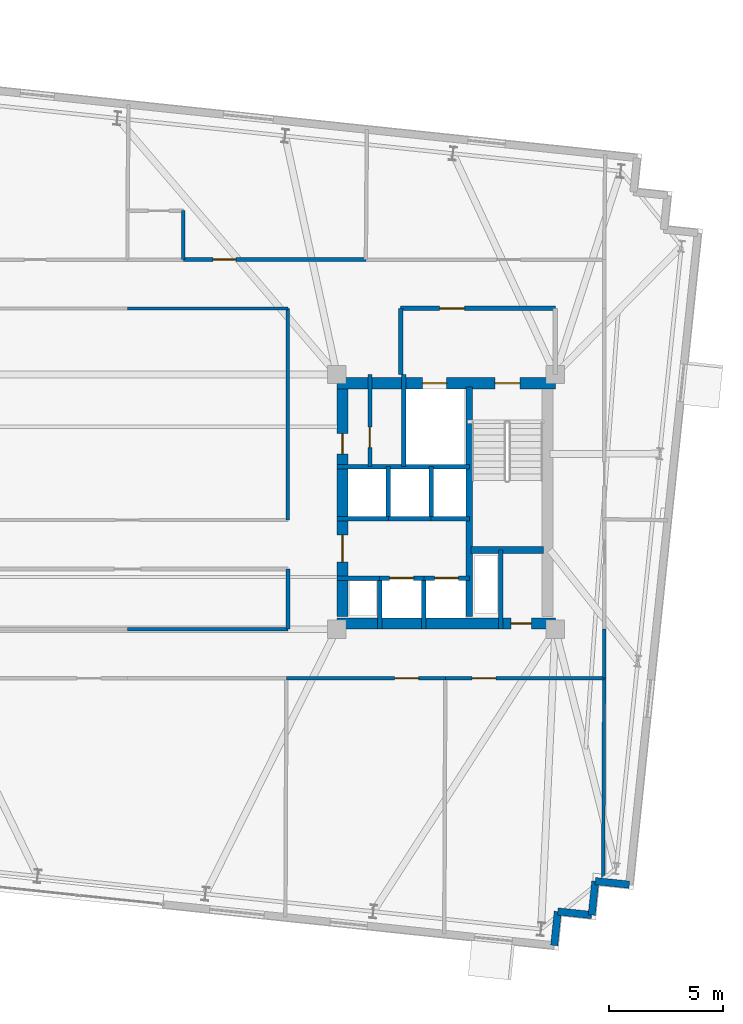
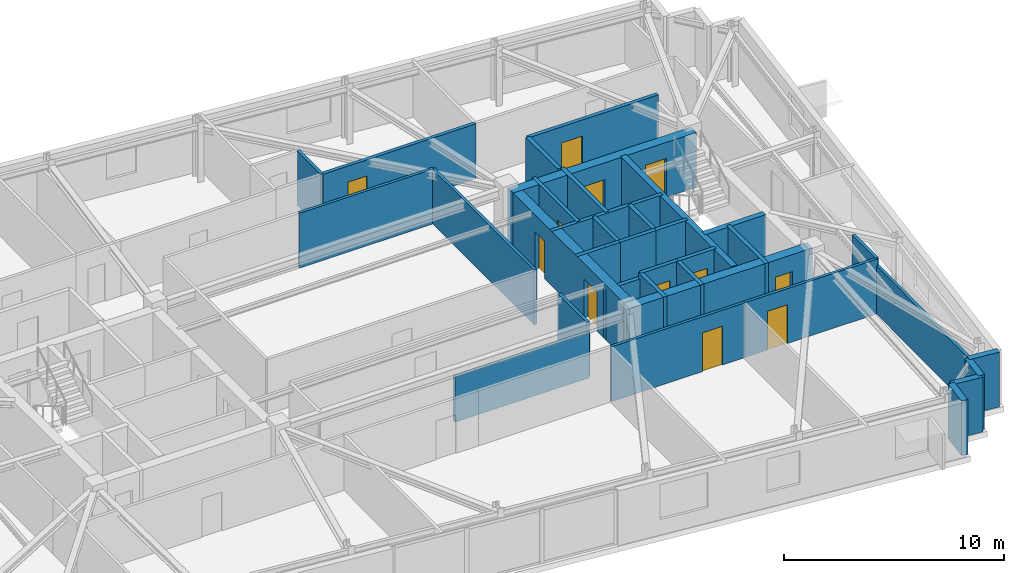
# One storey, part 9 of 13: 35 walls, 12 doors, 12 openings.
"""IFC4 building model written with IfcOpenShell, lengths in metres."""

from ifc_helpers import new_model, si_unit, direction, frame, frame_2d, origin, place, context, subcontext, project, spatial, rectangle, extrude, material, layer, layer_set, type_object, element, fill, save


model = new_model("IFC4")

# Units and contexts
model_context = context("Model", 3, precision=1e-05, world=origin(), true_north=direction((0.0, 1.0)))
body_context = subcontext(model_context, "Body", "Model", "MODEL_VIEW")
ifc_project = project(units=[si_unit("LENGTHUNIT", "METRE"), si_unit("AREAUNIT", "SQUARE_METRE"), si_unit("VOLUMEUNIT", "CUBIC_METRE"), si_unit("PLANEANGLEUNIT", "RADIAN"), si_unit("MASSUNIT", "GRAM", prefix="KILO")], contexts=[model_context])

# Site, building, storey
site_placement = place(None, origin())
site = spatial("IfcSite", under=ifc_project, at=site_placement, CompositionType="ELEMENT")
building_placement = place(site_placement, origin())
building = spatial("IfcBuilding", under=site, at=building_placement, Name="Qobustan Lattice House", CompositionType="ELEMENT")
storey_placement = place(building_placement, frame((0.0, 0.0, 199.75)))
storey = spatial("IfcBuildingStorey", under=building, at=storey_placement, Name="L56", CompositionType="ELEMENT", Elevation=199.75)

# Wall, openings, doors
ifc_material_1 = material(Name="Concrete C50/60", Category="concrete")
ifc_layer_1 = layer(ifc_material_1, 0.5)
ifc_layer_set_1 = layer_set([ifc_layer_1], Name="Concrete C50/60")
wall_type_1 = type_object("IfcWallType", Name="WAL-CORE-500", PredefinedType="SHEAR", material=ifc_layer_set_1)
wall_1_placement = place(storey_placement, frame((9.199951171875, 5.2099609375, 0.0), z_axis=(0.0, 0.0, 1.0), x_axis=(1.0, 0.0, 0.0)))
wall_1 = element("IfcWall", 1, at=wall_1_placement, inside=storey, type_object=wall_type_1, Name="L56 split-core shear wall CE-N", PredefinedType="SHEAR", context=body_context, shape_type="SweptSolid", body=[
    extrude(rectangle(XDim=9.60009765625, YDim=0.5, at=frame_2d((4.800048828125, 0.0))), origin(), (0.0, 0.0, 1.0), 3.0400390625),
])
opening_1_placement = place(wall_1_placement, frame((6.949951171875, 0.0, 0.0)))
opening_1 = element("IfcOpeningElement", 2, at=opening_1_placement, cuts=wall_1, Name="Opening SD-01", PredefinedType="OPENING", context=body_context, shape_type="SweptSolid", body=[
    extrude(rectangle(XDim=1.10009765625, YDim=2.14990234375, at=frame_2d((0.550048828125, 1.074951171875))), frame((0.0, 0.260009765625, 0.0), z_axis=(0.0, -1.0, 0.0), x_axis=(1.0, 0.0, 0.0)), (0.0, 0.0, 1.0), 0.52001953125),
])
opening_2_placement = place(wall_1_placement, frame((3.77490234375, 0.0, 0.0)))
opening_2 = element("IfcOpeningElement", 3, at=opening_2_placement, cuts=wall_1, Name="Opening LD-01", PredefinedType="OPENING", context=body_context, shape_type="SweptSolid", body=[
    extrude(rectangle(XDim=1.050048828125, YDim=2.10009765625, at=frame_2d((0.52490234375, 1.050048828125))), frame((0.0, 0.260009765625, 0.0), z_axis=(0.0, -1.0, 0.0), x_axis=(1.0, 0.0, 0.0)), (0.0, 0.0, 1.0), 0.52001953125),
])
ifc_material_2 = material(Name="Persian walnut timber and steel frame door", Category="steel")
door_type_1 = type_object("IfcDoorType", Name="DOR-LIFT-LD-1050x2100", OperationType="NOTDEFINED", PredefinedType="DOOR", material=ifc_material_2)
door_1_placement = place(opening_2_placement, origin())
door_1 = element("IfcDoor", 4, at=door_1_placement, inside=storey, type_object=door_type_1, Name="L56 firefighting lift FF-E landing door", OperationType="DOUBLE_DOOR_SLIDING", OverallHeight=2.10009765625, OverallWidth=1.050048828125, PredefinedType="DOOR", context=body_context, shape_type="SweptSolid", body=[
    extrude(rectangle(XDim=1.050048828125, YDim=2.10009765625, at=frame_2d((0.52490234375, 1.050048828125))), frame((0.0, 0.02490234375, 0.0), z_axis=(0.0, -1.0, 0.0), x_axis=(1.0, 0.0, 0.0)), (0.0, 0.0, 1.0), 0.050048828125),
])
fill(opening_2, door_1)
ifc_material_3 = material(Name="Persian walnut timber and steel frame door", Category="steel")
door_type_2 = type_object("IfcDoorType", Name="DOR-STAIR-FD-1100x2150", OperationType="NOTDEFINED", PredefinedType="DOOR", material=ifc_material_3)
door_2_placement = place(opening_1_placement, origin())
door_2 = element("IfcDoor", 5, at=door_2_placement, inside=storey, type_object=door_type_2, Name="L56 exit stair ST-E1 fire door", OperationType="SINGLE_SWING_LEFT", OverallHeight=2.14990234375, OverallWidth=1.10009765625, PredefinedType="DOOR", context=body_context, shape_type="SweptSolid", body=[
    extrude(rectangle(XDim=1.10009765625, YDim=2.14990234375, at=frame_2d((0.550048828125, 1.074951171875))), frame((0.0, 0.02490234375, 0.0), z_axis=(0.0, -1.0, 0.0), x_axis=(1.0, 0.0, 0.0)), (0.0, 0.0, 1.0), 0.050048828125),
])
fill(opening_1, door_2)

# Wall, opening, door
wall_2_placement = place(storey_placement, frame((9.199951171875, -5.35009765625, 0.0), z_axis=(0.0, 0.0, 1.0), x_axis=(1.0, 0.0, 0.0)))
wall_2 = element("IfcWall", 6, at=wall_2_placement, inside=storey, type_object=wall_type_1, Name="L56 split-core shear wall CE-S", PredefinedType="SHEAR", context=body_context, shape_type="SweptSolid", body=[
    extrude(rectangle(XDim=9.60009765625, YDim=0.5, at=frame_2d((4.800048828125, 0.0))), origin(), (0.0, 0.0, 1.0), 3.0400390625),
])
opening_3_placement = place(wall_2_placement, frame((7.64990234375, 0.0, 0.0)))
opening_3 = element("IfcOpeningElement", 7, at=opening_3_placement, cuts=wall_2, Name="Opening RD-01", PredefinedType="OPENING", context=body_context, shape_type="SweptSolid", body=[
    extrude(rectangle(XDim=0.89990234375, YDim=2.10009765625, at=frame_2d((0.449951171875, 1.050048828125))), frame((0.0, 0.260009765625, 0.0), z_axis=(0.0, -1.0, 0.0), x_axis=(1.0, 0.0, 0.0)), (0.0, 0.0, 1.0), 0.52001953125),
])
ifc_material_4 = material(Name="Persian walnut timber and steel frame door", Category="steel")
door_type_3 = type_object("IfcDoorType", Name="DOR-RISER-FD-900x2100", OperationType="NOTDEFINED", PredefinedType="DOOR", material=ifc_material_4)
door_3_placement = place(opening_3_placement, origin())
door_3 = element("IfcDoor", 8, at=door_3_placement, inside=storey, type_object=door_type_3, Name="L56 core service riser access door E", OperationType="SINGLE_SWING_LEFT", OverallHeight=2.10009765625, OverallWidth=0.89990234375, PredefinedType="DOOR", context=body_context, shape_type="SweptSolid", body=[
    extrude(rectangle(XDim=0.89990234375, YDim=2.10009765625, at=frame_2d((0.449951171875, 1.050048828125))), frame((0.0, 0.02490234375, 0.0), z_axis=(0.0, -1.0, 0.0), x_axis=(1.0, 0.0, 0.0)), (0.0, 0.0, 1.0), 0.050048828125),
])
fill(opening_3, door_3)

# Wall, openings, doors
wall_3_placement = place(storey_placement, frame((9.449951171875, -5.050048828125, 0.0), z_axis=(0.0, 0.0, 1.0), x_axis=(0.0, 1.0, 0.0)))
wall_3 = element("IfcWall", 9, at=wall_3_placement, inside=storey, type_object=wall_type_1, Name="L56 split-core shear wall CE-W", PredefinedType="SHEAR", context=body_context, shape_type="SweptSolid", body=[
    extrude(rectangle(XDim=10.10009765625, YDim=0.5, at=frame_2d((5.050048828125, 0.0))), origin(), (0.0, 0.0, 1.0), 3.0400390625),
])
opening_4_placement = place(wall_3_placement, frame((7.14990234375, 0.0, 0.0)))
opening_4 = element("IfcOpeningElement", 10, at=opening_4_placement, cuts=wall_3, Name="Opening RD-01", PredefinedType="OPENING", context=body_context, shape_type="SweptSolid", body=[
    extrude(rectangle(XDim=0.89990234375, YDim=2.10009765625, at=frame_2d((0.449951171875, 1.050048828125))), frame((0.0, 0.260009765625, 0.0), z_axis=(0.0, -1.0, 0.0), x_axis=(1.0, 0.0, 0.0)), (0.0, 0.0, 1.0), 0.52001953125),
])
opening_5_placement = place(wall_3_placement, frame((2.39990234375, 0.0, 0.0)))
opening_5 = element("IfcOpeningElement", 11, at=opening_5_placement, cuts=wall_3, Name="Opening FD-01", PredefinedType="OPENING", context=body_context, shape_type="SweptSolid", body=[
    extrude(rectangle(XDim=1.199951171875, YDim=2.14990234375, at=frame_2d((0.60009765625, 1.074951171875))), frame((0.0, 0.260009765625, 0.0), z_axis=(0.0, -1.0, 0.0), x_axis=(1.0, 0.0, 0.0)), (0.0, 0.0, 1.0), 0.52001953125),
])
ifc_material_5 = material(Name="Persian walnut timber and steel frame door", Category="steel")
door_type_4 = type_object("IfcDoorType", Name="DOR-LOBBY-FD-1200x2150", OperationType="NOTDEFINED", PredefinedType="DOOR", material=ifc_material_5)
door_4_placement = place(opening_5_placement, origin())
door_4 = element("IfcDoor", 12, at=door_4_placement, inside=storey, type_object=door_type_4, Name="L56 East passenger lift lobby fire door", OperationType="SINGLE_SWING_RIGHT", OverallHeight=2.14990234375, OverallWidth=1.199951171875, PredefinedType="DOOR", context=body_context, shape_type="SweptSolid", body=[
    extrude(rectangle(XDim=1.199951171875, YDim=2.14990234375, at=frame_2d((0.60009765625, 1.074951171875))), frame((0.0, 0.02490234375, 0.0), z_axis=(0.0, -1.0, 0.0), x_axis=(1.0, 0.0, 0.0)), (0.0, 0.0, 1.0), 0.050048828125),
])
fill(opening_5, door_4)
door_5_placement = place(opening_4_placement, origin())
door_5 = element("IfcDoor", 13, at=door_5_placement, inside=storey, type_object=door_type_3, Name="L56 Print and mail closet fire door", OperationType="SINGLE_SWING_LEFT", OverallHeight=2.10009765625, OverallWidth=0.89990234375, PredefinedType="DOOR", context=body_context, shape_type="SweptSolid", body=[
    extrude(rectangle(XDim=0.89990234375, YDim=2.10009765625, at=frame_2d((0.449951171875, 1.050048828125))), frame((0.0, 0.02490234375, 0.0), z_axis=(0.0, -1.0, 0.0), x_axis=(1.0, 0.0, 0.0)), (0.0, 0.0, 1.0), 0.050048828125),
])
fill(opening_4, door_5)

# Walls
ifc_material_6 = material(Name="Concrete C50/60", Category="concrete")
ifc_layer_2 = layer(ifc_material_6, 0.280029296875)
ifc_layer_set_2 = layer_set([ifc_layer_2], Name="Concrete C50/60")
wall_type_2 = type_object("IfcWallType", Name="WAL-CORE-SPINE-280", PredefinedType="SHEAR", material=ifc_layer_set_2)
wall_4_placement = place(storey_placement, frame((15.02001953125, -5.050048828125, 0.0), z_axis=(0.0, 0.0, 1.0), x_axis=(0.0, 1.0, 0.0)))
element("IfcWall", 14, at=wall_4_placement, inside=storey, type_object=wall_type_2, Name="L56 split-core shear wall CE-M", PredefinedType="SHEAR", context=body_context, shape_type="SweptSolid", body=[
    extrude(rectangle(XDim=10.10009765625, YDim=0.300048828125, at=frame_2d((5.050048828125, 0.0))), origin(), (0.0, 0.0, 1.0), 3.0400390625),
])
wall_5_placement = place(storey_placement, frame((15.10009765625, -2.110107421875, 0.0), z_axis=(0.0, 0.0, 1.0), x_axis=(1.0, 0.0, 0.0)))
element("IfcWall", 15, at=wall_5_placement, inside=storey, type_object=wall_type_2, Name="L56 split-core shear wall CE-ST", PredefinedType="SHEAR", context=body_context, shape_type="SweptSolid", body=[
    extrude(rectangle(XDim=3.179931640625, YDim=0.300048828125, at=frame_2d((1.58984375, 0.0))), origin(), (0.0, 0.0, 1.0), 3.0400390625),
])
ifc_material_7 = material(Name="Precast concrete C40/50", Category="concrete")
ifc_layer_3 = layer(ifc_material_7, 0.320068359375)
ifc_layer_set_3 = layer_set([ifc_layer_3], Name="Precast concrete C40/50")
wall_type_3 = type_object("IfcWallType", Name="WAL-EXT-STONE-320", PredefinedType="SOLIDWALL", material=ifc_layer_set_3)
wall_6_placement = place(storey_placement, frame((22.052978515625, -16.828369140625, 0.0), z_axis=(0.0, 0.0, 1.0), x_axis=(-0.994526834051, 0.104481464157, 0.0)))
element("IfcWall", 16, at=wall_6_placement, inside=storey, type_object=wall_type_3, Name="L56 exterior limestone-clad wall 16", PredefinedType="SOLIDWALL", context=body_context, shape_type="SweptSolid", body=[
    extrude(rectangle(XDim=1.500244140625, YDim=0.320068359375, at=frame_2d((0.75, 0.0))), origin(), (0.0, 0.0, 1.0), 3.0400390625),
])
for number, where, z_axis, x_axis, name in (
    (17, (20.56103515625, -16.671630859375, 0.0), (0.0, 0.0, 1.0), (-0.104498377516, -0.994525057048, 0.0), "L56 exterior limestone-clad wall 17"),
    (18, (20.404296875, -18.163330078125, 0.0), (0.0, 0.0, 1.0), (-0.994525057048, 0.104498377516, 0.0), "L56 exterior limestone-clad wall 18"),
    (19, (18.91259765625, -18.006591796875, 0.0), (0.0, 0.0, 1.0), (-0.104498377516, -0.994525057048, 0.0), "L56 exterior limestone-clad wall 19"),
):
    element("IfcWall", number, at=place(storey_placement, frame(where, z_axis=z_axis, x_axis=x_axis)), inside=storey, type_object=wall_type_3, Name=name, PredefinedType="SOLIDWALL", context=body_context, shape_type="SweptSolid", body=[
        extrude(rectangle(XDim=1.5, YDim=0.320068359375, at=frame_2d((0.75, 0.0))), origin(), (0.0, 0.0, 1.0), 3.0400390625),
    ])

# Wall, opening, door
ifc_material_8 = material(Name="Gypsum fireboard acoustic partition", Category="gypsum")
ifc_layer_4 = layer(ifc_material_8, 0.179931640625)
ifc_layer_set_4 = layer_set([ifc_layer_4], Name="Gypsum fireboard acoustic partition")
wall_type_4 = type_object("IfcWallType", Name="WAL-FIRE-180", PredefinedType="PARTITIONING", material=ifc_layer_set_4)
wall_7_placement = place(storey_placement, frame((10.64990234375, 1.550048828125, 0.0), z_axis=(0.0, 0.0, 1.0), x_axis=(0.0, 1.0, 0.0)))
wall_7 = element("IfcWall", 20, at=wall_7_placement, inside=storey, type_object=wall_type_4, Name="L56 interior partition 18", PredefinedType="PARTITIONING", context=body_context, shape_type="SweptSolid", body=[
    extrude(rectangle(XDim=4.050048828125, YDim=0.179931640625, at=frame_2d((2.02490234375, 0.0))), origin(), (0.0, 0.0, 1.0), 3.0400390625),
])
opening_6_placement = place(wall_7_placement, frame((0.828857421875, 0.0, 0.0)))
opening_6 = element("IfcOpeningElement", 21, at=opening_6_placement, cuts=wall_7, Name="Opening RD-01", PredefinedType="OPENING", context=body_context, shape_type="SweptSolid", body=[
    extrude(rectangle(XDim=0.89990234375, YDim=2.10009765625, at=frame_2d((0.449951171875, 1.050048828125))), frame((0.0, 0.099853515625, 0.0), z_axis=(0.0, -1.0, 0.0), x_axis=(1.0, 0.0, 0.0)), (0.0, 0.0, 1.0), 0.199951171875),
])
door_6_placement = place(opening_6_placement, origin())
door_6 = element("IfcDoor", 22, at=door_6_placement, inside=storey, type_object=door_type_3, Name="L56 Print and mail closet to Core utility store door", OperationType="SINGLE_SWING_RIGHT", OverallHeight=2.10009765625, OverallWidth=0.89990234375, PredefinedType="DOOR", context=body_context, shape_type="SweptSolid", body=[
    extrude(rectangle(XDim=0.89990234375, YDim=2.10009765625, at=frame_2d((0.449951171875, 1.050048828125))), frame((0.0, 0.02490234375, 0.0), z_axis=(0.0, -1.0, 0.0), x_axis=(1.0, 0.0, 0.0)), (0.0, 0.0, 1.0), 0.050048828125),
])
fill(opening_6, door_6)

wall_8_placement = place(storey_placement, frame((2.449951171875, 10.64990234375, 0.0), z_axis=(0.0, 0.0, 1.0), x_axis=(1.0, 0.0, 0.0)))
wall_8 = element("IfcWall", 23, at=wall_8_placement, inside=storey, type_object=wall_type_4, Name="L56 interior partition 38", PredefinedType="PARTITIONING", context=body_context, shape_type="SweptSolid", body=[
    extrude(rectangle(XDim=8.025146484375, YDim=0.179931640625, at=frame_2d((4.0126953125, 0.0))), origin(), (0.0, 0.0, 1.0), 3.0400390625),
])
opening_7_placement = place(wall_8_placement, frame((1.31298828125, 0.0, 0.0)))
opening_7 = element("IfcOpeningElement", 24, at=opening_7_placement, cuts=wall_8, Name="Opening FD-02", PredefinedType="OPENING", context=body_context, shape_type="SweptSolid", body=[
    extrude(rectangle(XDim=1.0, YDim=2.14990234375, at=frame_2d((0.5, 1.074951171875))), frame((0.0, 0.099853515625, 0.0), z_axis=(0.0, -1.0, 0.0), x_axis=(1.0, 0.0, 0.0)), (0.0, 0.0, 1.0), 0.199951171875),
])
ifc_material_9 = material(Name="Persian walnut timber and steel frame door", Category="steel")
door_type_5 = type_object("IfcDoorType", Name="DOR-UNIT-FD-1000x2150", OperationType="NOTDEFINED", PredefinedType="DOOR", material=ifc_material_9)
door_7_placement = place(opening_7_placement, origin())
door_7 = element("IfcDoor", 25, at=door_7_placement, inside=storey, type_object=door_type_5, Name="L56 North-east floor corridor to Kitchenette and studio apartment L56-N3 door", OperationType="SINGLE_SWING_LEFT", OverallHeight=2.14990234375, OverallWidth=1.0, PredefinedType="DOOR", context=body_context, shape_type="SweptSolid", body=[
    extrude(rectangle(XDim=1.0, YDim=2.14990234375, at=frame_2d((0.5, 1.074951171875))), frame((0.0, 0.02490234375, 0.0), z_axis=(0.0, -1.0, 0.0), x_axis=(1.0, 0.0, 0.0)), (0.0, 0.0, 1.0), 0.050048828125),
])
fill(opening_7, door_7)

# Walls
ifc_material_10 = material(Name="Acoustic twin-stud gypsum partition", Category="gypsum")
ifc_layer_5 = layer(ifc_material_10, 0.14990234375)
ifc_layer_set_5 = layer_set([ifc_layer_5], Name="Acoustic twin-stud gypsum partition")
wall_type_5 = type_object("IfcWallType", Name="WAL-PART-150", PredefinedType="PARTITIONING", material=ifc_layer_set_5)
wall_9_placement = place(storey_placement, frame((7.050048828125, 8.5, 0.0), z_axis=(0.0, 0.0, 1.0), x_axis=(-1.0, 0.0, 0.0)))
element("IfcWall", 26, at=wall_9_placement, inside=storey, type_object=wall_type_5, Name="L56 interior partition 41", PredefinedType="PARTITIONING", context=body_context, shape_type="SweptSolid", body=[
    extrude(rectangle(XDim=7.050048828125, YDim=0.14990234375, at=frame_2d((3.52490234375, 0.0))), origin(), (0.0, 0.0, 1.0), 3.0400390625),
])
wall_10_placement = place(storey_placement, frame((20.949951171875, -5.60009765625, 0.0), z_axis=(0.0, 0.0, 1.0), x_axis=(0.0, -1.0, 0.0)))
element("IfcWall", 27, at=wall_10_placement, inside=storey, type_object=wall_type_5, Name="L56 interior partition 46", PredefinedType="PARTITIONING", context=body_context, shape_type="SweptSolid", body=[
    extrude(rectangle(XDim=2.14990234375, YDim=0.14990234375, at=frame_2d((1.074951171875, 0.0))), origin(), (0.0, 0.0, 1.0), 3.0400390625),
])

# Wall, opening, door
wall_11_placement = place(storey_placement, frame((13.966552734375, -7.75, 0.0), z_axis=(0.0, 0.0, 1.0), x_axis=(-1.0, 0.0, 0.0)))
wall_11 = element("IfcWall", 28, at=wall_11_placement, inside=storey, type_object=wall_type_5, Name="L56 interior partition 48", PredefinedType="PARTITIONING", context=body_context, shape_type="SweptSolid", body=[
    extrude(rectangle(XDim=6.983642578125, YDim=0.14990234375, at=frame_2d((3.49169921875, 0.0))), origin(), (0.0, 0.0, 1.0), 3.0400390625),
])
opening_8_placement = place(wall_11_placement, frame((1.1767578125, 0.0, 0.0)))
opening_8 = element("IfcOpeningElement", 29, at=opening_8_placement, cuts=wall_11, Name="Opening ID-02", PredefinedType="OPENING", context=body_context, shape_type="SweptSolid", body=[
    extrude(rectangle(XDim=1.050048828125, YDim=2.14990234375, at=frame_2d((0.52490234375, 1.074951171875))), frame((0.0, 0.0849609375, 0.0), z_axis=(0.0, -1.0, 0.0), x_axis=(1.0, 0.0, 0.0)), (0.0, 0.0, 1.0), 0.169921875),
])
ifc_material_11 = material(Name="Persian walnut timber and steel frame door", Category="steel")
door_type_6 = type_object("IfcDoorType", Name="DOR-STUDY-1050x2150", OperationType="NOTDEFINED", PredefinedType="DOOR", material=ifc_material_11)
door_8_placement = place(opening_8_placement, origin())
door_8 = element("IfcDoor", 30, at=door_8_placement, inside=storey, type_object=door_type_6, Name="L56 South-east floor corridor to Group study room door", OperationType="SINGLE_SWING_LEFT", OverallHeight=2.14990234375, OverallWidth=1.050048828125, PredefinedType="DOOR", context=body_context, shape_type="SweptSolid", body=[
    extrude(rectangle(XDim=1.050048828125, YDim=2.14990234375, at=frame_2d((0.52490234375, 1.074951171875))), frame((0.0, 0.02490234375, 0.0), z_axis=(0.0, -1.0, 0.0), x_axis=(1.0, 0.0, 0.0)), (0.0, 0.0, 1.0), 0.050048828125),
])
fill(opening_8, door_8)

wall_12_placement = place(storey_placement, frame((20.949951171875, -7.75, 0.0), z_axis=(0.0, 0.0, 1.0), x_axis=(-1.0, 0.0, 0.0)))
wall_12 = element("IfcWall", 31, at=wall_12_placement, inside=storey, type_object=wall_type_5, Name="L56 interior partition 49", PredefinedType="PARTITIONING", context=body_context, shape_type="SweptSolid", body=[
    extrude(rectangle(XDim=6.9833984375, YDim=0.14990234375, at=frame_2d((3.49169921875, 0.0))), origin(), (0.0, 0.0, 1.0), 3.0400390625),
])
opening_9_placement = place(wall_12_placement, frame((4.7568359375, 0.0, 0.0)))
opening_9 = element("IfcOpeningElement", 32, at=opening_9_placement, cuts=wall_12, Name="Opening ID-02", PredefinedType="OPENING", context=body_context, shape_type="SweptSolid", body=[
    extrude(rectangle(XDim=1.050048828125, YDim=2.14990234375, at=frame_2d((0.52490234375, 1.074951171875))), frame((0.0, 0.0849609375, 0.0), z_axis=(0.0, -1.0, 0.0), x_axis=(1.0, 0.0, 0.0)), (0.0, 0.0, 1.0), 0.169921875),
])
door_9_placement = place(opening_9_placement, origin())
door_9 = element("IfcDoor", 33, at=door_9_placement, inside=storey, type_object=door_type_6, Name="L56 South-east floor corridor to Academic seminar room door", OperationType="SINGLE_SWING_RIGHT", OverallHeight=2.14990234375, OverallWidth=1.050048828125, PredefinedType="DOOR", context=body_context, shape_type="SweptSolid", body=[
    extrude(rectangle(XDim=1.050048828125, YDim=2.14990234375, at=frame_2d((0.52490234375, 1.074951171875))), frame((0.0, 0.02490234375, 0.0), z_axis=(0.0, -1.0, 0.0), x_axis=(1.0, 0.0, 0.0)), (0.0, 0.0, 1.0), 0.050048828125),
])
fill(opening_9, door_9)

# Walls
wall_13_placement = place(storey_placement, frame((7.050048828125, -0.800048828125, 0.0), z_axis=(0.0, 0.0, 1.0), x_axis=(0.0, 1.0, 0.0)))
element("IfcWall", 34, at=wall_13_placement, inside=storey, type_object=wall_type_5, Name="L56 interior partition 59", PredefinedType="PARTITIONING", context=body_context, shape_type="SweptSolid", body=[
    extrude(rectangle(XDim=9.300048828125, YDim=0.14990234375, at=frame_2d((4.64990234375, 0.0))), origin(), (0.0, 0.0, 1.0), 3.0400390625),
])
wall_14_placement = place(storey_placement, frame((20.906005859375, -16.7080078125, 0.0), z_axis=(0.0, 0.0, 1.0), x_axis=(0.004905642486, 0.999987967264, 0.0)))
element("IfcWall", 35, at=wall_14_placement, inside=storey, type_object=wall_type_5, Name="L56 interior partition 65", PredefinedType="PARTITIONING", context=body_context, shape_type="SweptSolid", body=[
    extrude(rectangle(XDim=8.9580078125, YDim=0.14990234375, at=frame_2d((4.47900390625, 0.0))), origin(), (0.0, 0.0, 1.0), 2.6650390625),
])
ifc_material_12 = material(Name="High-mass acoustic twin-stud partition", Category="gypsum")
ifc_layer_6 = layer(ifc_material_12, 0.1650390625)
ifc_layer_set_6 = layer_set([ifc_layer_6], Name="High-mass acoustic twin-stud partition")
wall_type_6 = type_object("IfcWallType", Name="WAL-PART-165", PredefinedType="PARTITIONING", material=ifc_layer_set_6)
wall_15_placement = place(storey_placement, frame((0.0, -5.60009765625, 0.0), z_axis=(0.0, 0.0, 1.0), x_axis=(1.0, 0.0, 0.0)))
element("IfcWall", 36, at=wall_15_placement, inside=storey, type_object=wall_type_6, Name="L56 interior partition 50", PredefinedType="PARTITIONING", context=body_context, shape_type="SweptSolid", body=[
    extrude(rectangle(XDim=7.050048828125, YDim=0.1650390625, at=frame_2d((3.52490234375, 0.0))), origin(), (0.0, 0.0, 1.0), 2.52490234375),
])
wall_16_placement = place(storey_placement, frame((7.050048828125, -5.60009765625, 0.0), z_axis=(0.0, 0.0, 1.0), x_axis=(0.0, 1.0, 0.0)))
element("IfcWall", 37, at=wall_16_placement, inside=storey, type_object=wall_type_6, Name="L56 interior partition 60", PredefinedType="PARTITIONING", context=body_context, shape_type="SweptSolid", body=[
    extrude(rectangle(XDim=2.650146484375, YDim=0.1650390625, at=frame_2d((1.3251953125, 0.0))), origin(), (0.0, 0.0, 1.0), 3.0400390625),
])

# Wall, opening, door
ifc_material_13 = material(Name="Two-hour gypsum fireboard acoustic partition", Category="gypsum")
ifc_layer_7 = layer(ifc_material_13, 0.199951171875)
ifc_layer_set_7 = layer_set([ifc_layer_7], Name="Two-hour gypsum fireboard acoustic partition")
wall_type_7 = type_object("IfcWallType", Name="WAL-PROT-200", PredefinedType="PARTITIONING", material=ifc_layer_set_7)
wall_17_placement = place(storey_placement, frame((18.800048828125, 8.5, 0.0), z_axis=(0.0, 0.0, 1.0), x_axis=(-1.0, 0.0, 0.0)))
wall_17 = element("IfcWall", 38, at=wall_17_placement, inside=storey, type_object=wall_type_7, Name="L56 interior partition 15", PredefinedType="PARTITIONING", context=body_context, shape_type="SweptSolid", body=[
    extrude(rectangle(XDim=6.800048828125, YDim=0.199951171875, at=frame_2d((3.39990234375, 0.0))), origin(), (0.0, 0.0, 1.0), 3.0400390625),
])
opening_10_placement = place(wall_17_placement, frame((3.985107421875, 0.0, 0.0)))
opening_10 = element("IfcOpeningElement", 39, at=opening_10_placement, cuts=wall_17, Name="Opening SD-01", PredefinedType="OPENING", context=body_context, shape_type="SweptSolid", body=[
    extrude(rectangle(XDim=1.10009765625, YDim=2.14990234375, at=frame_2d((0.550048828125, 1.074951171875))), frame((0.0, 0.10986328125, 0.0), z_axis=(0.0, -1.0, 0.0), x_axis=(1.0, 0.0, 0.0)), (0.0, 0.0, 1.0), 0.219970703125),
])
door_10_placement = place(opening_10_placement, origin())
door_10 = element("IfcDoor", 40, at=door_10_placement, inside=storey, type_object=door_type_2, Name="L56 East firefighting lift lobby to North-east floor corridor door", OperationType="SINGLE_SWING_LEFT", OverallHeight=2.14990234375, OverallWidth=1.10009765625, PredefinedType="DOOR", context=body_context, shape_type="SweptSolid", body=[
    extrude(rectangle(XDim=1.10009765625, YDim=2.14990234375, at=frame_2d((0.550048828125, 1.074951171875))), frame((0.0, 0.02490234375, 0.0), z_axis=(0.0, -1.0, 0.0), x_axis=(1.0, 0.0, 0.0)), (0.0, 0.0, 1.0), 0.050048828125),
])
fill(opening_10, door_10)

# Walls
wall_18_placement = place(storey_placement, frame((12.0, 8.5, 0.0), z_axis=(0.0, 0.0, 1.0), x_axis=(0.0, -1.0, 0.0)))
element("IfcWall", 41, at=wall_18_placement, inside=storey, type_object=wall_type_7, Name="L56 interior partition 17", PredefinedType="PARTITIONING", context=body_context, shape_type="SweptSolid", body=[
    extrude(rectangle(XDim=2.89990234375, YDim=0.199951171875, at=frame_2d((1.449951171875, 0.0))), origin(), (0.0, 0.0, 1.0), 3.0400390625),
])
ifc_material_14 = material(Name="Concrete C40/50", Category="concrete")
ifc_layer_8 = layer(ifc_material_14, 0.199951171875)
ifc_layer_set_8 = layer_set([ifc_layer_8], Name="Concrete C40/50")
wall_type_8 = type_object("IfcWallType", Name="WAL-SHAFT-200", PredefinedType="PARTITIONING", material=ifc_layer_set_8)
wall_19_placement = place(storey_placement, frame((16.39990234375, -2.110107421875, 0.0), z_axis=(0.0, 0.0, 1.0), x_axis=(0.0, -1.0, 0.0)))
element("IfcWall", 42, at=wall_19_placement, inside=storey, type_object=wall_type_8, Name="L56 interior partition 13", PredefinedType="PARTITIONING", context=body_context, shape_type="SweptSolid", body=[
    extrude(rectangle(XDim=3.489990234375, YDim=0.199951171875, at=frame_2d((1.7451171875, 0.0))), origin(), (0.0, 0.0, 1.0), 3.0400390625),
])
wall_20_placement = place(storey_placement, frame((12.14990234375, 5.60009765625, 0.0), z_axis=(0.0, 0.0, 1.0), x_axis=(0.0, -1.0, 0.0)))
element("IfcWall", 43, at=wall_20_placement, inside=storey, type_object=wall_type_8, Name="L56 interior partition 14", PredefinedType="PARTITIONING", context=body_context, shape_type="SweptSolid", body=[
    extrude(rectangle(XDim=4.050048828125, YDim=0.199951171875, at=frame_2d((2.02490234375, 0.0))), origin(), (0.0, 0.0, 1.0), 3.0400390625),
])
wall_21_placement = place(storey_placement, frame((9.199951171875, -3.35009765625, 0.0), z_axis=(0.0, 0.0, 1.0), x_axis=(1.0, 0.0, 0.0)))
element("IfcWall", 44, at=wall_21_placement, inside=storey, type_object=wall_type_8, Name="L56 interior partition 20", PredefinedType="PARTITIONING", context=body_context, shape_type="SweptSolid", body=[
    extrude(rectangle(XDim=1.880126953125, YDim=0.199951171875, at=frame_2d((0.93994140625, 0.0))), origin(), (0.0, 0.0, 1.0), 2.7548828125),
])

# Wall, opening, door
wall_22_placement = place(storey_placement, frame((11.080078125, -3.35009765625, 0.0), z_axis=(0.0, 0.0, 1.0), x_axis=(1.0, 0.0, 0.0)))
wall_22 = element("IfcWall", 45, at=wall_22_placement, inside=storey, type_object=wall_type_8, Name="L56 interior partition 21", PredefinedType="PARTITIONING", context=body_context, shape_type="SweptSolid", body=[
    extrude(rectangle(XDim=1.93994140625, YDim=0.199951171875, at=frame_2d((0.969970703125, 0.0))), origin(), (0.0, 0.0, 1.0), 3.0400390625),
])
opening_11_placement = place(wall_22_placement, frame((0.445068359375, 0.0, 0.0)))
opening_11 = element("IfcOpeningElement", 46, at=opening_11_placement, cuts=wall_22, Name="Opening LD-01", PredefinedType="OPENING", context=body_context, shape_type="SweptSolid", body=[
    extrude(rectangle(XDim=1.050048828125, YDim=2.10009765625, at=frame_2d((0.52490234375, 1.050048828125))), frame((0.0, 0.10986328125, 0.0), z_axis=(0.0, -1.0, 0.0), x_axis=(1.0, 0.0, 0.0)), (0.0, 0.0, 1.0), 0.219970703125),
])
door_11_placement = place(opening_11_placement, origin())
door_11 = element("IfcDoor", 47, at=door_11_placement, inside=storey, type_object=door_type_1, Name="L56 lift landing door", OperationType="DOUBLE_DOOR_SLIDING", OverallHeight=2.10009765625, OverallWidth=1.050048828125, PredefinedType="DOOR", context=body_context, shape_type="SweptSolid", body=[
    extrude(rectangle(XDim=1.050048828125, YDim=2.10009765625, at=frame_2d((0.52490234375, 1.050048828125))), frame((0.0, 0.02490234375, 0.0), z_axis=(0.0, -1.0, 0.0), x_axis=(1.0, 0.0, 0.0)), (0.0, 0.0, 1.0), 0.050048828125),
])
fill(opening_11, door_11)

wall_23_placement = place(storey_placement, frame((13.02001953125, -3.35009765625, 0.0), z_axis=(0.0, 0.0, 1.0), x_axis=(1.0, 0.0, 0.0)))
wall_23 = element("IfcWall", 48, at=wall_23_placement, inside=storey, type_object=wall_type_8, Name="L56 interior partition 22", PredefinedType="PARTITIONING", context=body_context, shape_type="SweptSolid", body=[
    extrude(rectangle(XDim=2.0, YDim=0.199951171875, at=frame_2d((1.0, 0.0))), origin(), (0.0, 0.0, 1.0), 3.0400390625),
])
opening_12_placement = place(wall_23_placement, frame((0.47509765625, 0.0, 0.0)))
opening_12 = element("IfcOpeningElement", 49, at=opening_12_placement, cuts=wall_23, Name="Opening LD-01", PredefinedType="OPENING", context=body_context, shape_type="SweptSolid", body=[
    extrude(rectangle(XDim=1.050048828125, YDim=2.10009765625, at=frame_2d((0.52490234375, 1.050048828125))), frame((0.0, 0.10986328125, 0.0), z_axis=(0.0, -1.0, 0.0), x_axis=(1.0, 0.0, 0.0)), (0.0, 0.0, 1.0), 0.219970703125),
])
door_12_placement = place(opening_12_placement, origin())
door_12 = element("IfcDoor", 50, at=door_12_placement, inside=storey, type_object=door_type_1, Name="L56 lift landing door", OperationType="DOUBLE_DOOR_SLIDING", OverallHeight=2.10009765625, OverallWidth=1.050048828125, PredefinedType="DOOR", context=body_context, shape_type="SweptSolid", body=[
    extrude(rectangle(XDim=1.050048828125, YDim=2.10009765625, at=frame_2d((0.52490234375, 1.050048828125))), frame((0.0, 0.02490234375, 0.0), z_axis=(0.0, -1.0, 0.0), x_axis=(1.0, 0.0, 0.0)), (0.0, 0.0, 1.0), 0.050048828125),
])
fill(opening_12, door_12)

# Walls
wall_24_placement = place(storey_placement, frame((11.4599609375, -0.75, 0.0), z_axis=(0.0, 0.0, 1.0), x_axis=(-1.0, 0.0, 0.0)))
element("IfcWall", 51, at=wall_24_placement, inside=storey, type_object=wall_type_8, Name="L56 interior partition 23", PredefinedType="PARTITIONING", context=body_context, shape_type="SweptSolid", body=[
    extrude(rectangle(XDim=2.260009765625, YDim=0.199951171875, at=frame_2d((1.1298828125, 0.0))), origin(), (0.0, 0.0, 1.0), 3.0400390625),
])
wall_25_placement = place(storey_placement, frame((13.340087890625, -0.75, 0.0), z_axis=(0.0, 0.0, 1.0), x_axis=(-1.0, 0.0, 0.0)))
element("IfcWall", 52, at=wall_25_placement, inside=storey, type_object=wall_type_8, Name="L56 interior partition 24", PredefinedType="PARTITIONING", context=body_context, shape_type="SweptSolid", body=[
    extrude(rectangle(XDim=1.880126953125, YDim=0.199951171875, at=frame_2d((0.93994140625, 0.0))), origin(), (0.0, 0.0, 1.0), 3.0400390625),
])
wall_26_placement = place(storey_placement, frame((15.02001953125, -0.75, 0.0), z_axis=(0.0, 0.0, 1.0), x_axis=(-1.0, 0.0, 0.0)))
element("IfcWall", 53, at=wall_26_placement, inside=storey, type_object=wall_type_8, Name="L56 interior partition 25", PredefinedType="PARTITIONING", context=body_context, shape_type="SweptSolid", body=[
    extrude(rectangle(XDim=1.679931640625, YDim=0.199951171875, at=frame_2d((0.83984375, 0.0))), origin(), (0.0, 0.0, 1.0), 3.0400390625),
])
for number, where, z_axis, x_axis, name in (
    (54, (11.080078125, -5.60009765625, 0.0), (0.0, 0.0, 1.0), (0.0, 1.0, 0.0), "L56 interior partition 27"),
    (55, (13.02001953125, -5.60009765625, 0.0), (0.0, 0.0, 1.0), (0.0, 1.0, 0.0), "L56 interior partition 28"),
):
    element("IfcWall", number, at=place(storey_placement, frame(where, z_axis=z_axis, x_axis=x_axis)), inside=storey, type_object=wall_type_8, Name=name, PredefinedType="PARTITIONING", context=body_context, shape_type="SweptSolid", body=[
        extrude(rectangle(XDim=2.25, YDim=0.199951171875, at=frame_2d((1.125, 0.0))), origin(), (0.0, 0.0, 1.0), 3.0400390625),
    ])
for number, where, z_axis, x_axis, name in (
    (56, (11.4599609375, -0.75, 0.0), (0.0, 0.0, 1.0), (0.0, 1.0, 0.0), "L56 interior partition 29"),
    (57, (13.340087890625, -0.75, 0.0), (0.0, 0.0, 1.0), (0.0, 1.0, 0.0), "L56 interior partition 30"),
):
    element("IfcWall", number, at=place(storey_placement, frame(where, z_axis=z_axis, x_axis=x_axis)), inside=storey, type_object=wall_type_8, Name=name, PredefinedType="PARTITIONING", context=body_context, shape_type="SweptSolid", body=[
        extrude(rectangle(XDim=2.300048828125, YDim=0.199951171875, at=frame_2d((1.14990234375, 0.0))), origin(), (0.0, 0.0, 1.0), 3.0400390625),
    ])
wall_27_placement = place(storey_placement, frame((9.199951171875, 1.550048828125, 0.0), z_axis=(0.0, 0.0, 1.0), x_axis=(1.0, 0.0, 0.0)))
element("IfcWall", 58, at=wall_27_placement, inside=storey, type_object=wall_type_8, Name="L56 interior partition 79", PredefinedType="PARTITIONING", context=body_context, shape_type="SweptSolid", body=[
    extrude(rectangle(XDim=5.820068359375, YDim=0.199951171875, at=frame_2d((2.91015625, 0.0))), origin(), (0.0, 0.0, 1.0), 3.0400390625),
])
ifc_material_15 = material(Name="Moisture-resistant acoustic plumbing wall", Category="gypsum")
ifc_layer_9 = layer(ifc_material_15, 0.14990234375)
ifc_layer_set_9 = layer_set([ifc_layer_9], Name="Moisture-resistant acoustic plumbing wall")
wall_type_9 = type_object("IfcWallType", Name="WAL-WET-150", PredefinedType="PLUMBINGWALL", material=ifc_layer_set_9)
wall_28_placement = place(storey_placement, frame((2.449951171875, 10.64990234375, 0.0), z_axis=(0.0, 0.0, 1.0), x_axis=(0.0, 1.0, 0.0)))
element("IfcWall", 59, at=wall_28_placement, inside=storey, type_object=wall_type_9, Name="L56 interior partition 73", PredefinedType="PLUMBINGWALL", context=body_context, shape_type="SweptSolid", body=[
    extrude(rectangle(XDim=2.150146484375, YDim=0.14990234375, at=frame_2d((1.0751953125, 0.0))), origin(), (0.0, 0.0, 1.0), 3.0400390625),
])

save(model, "model.ifc")
